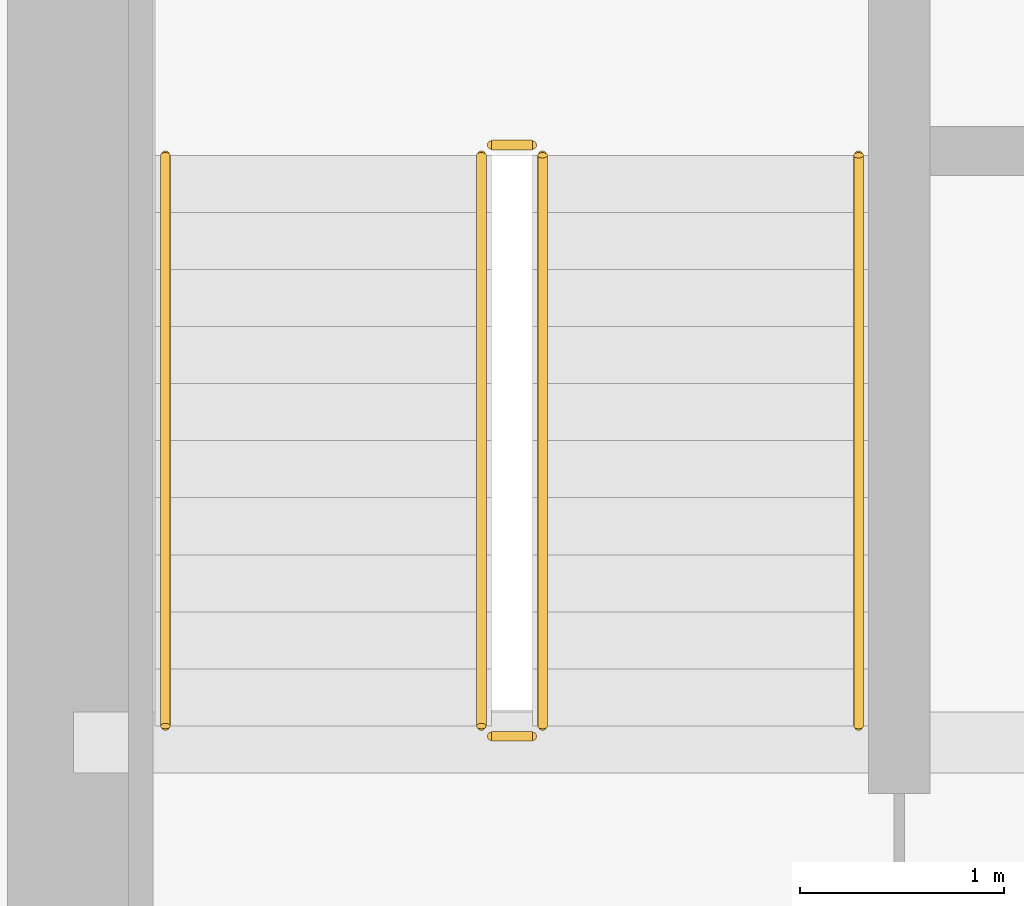
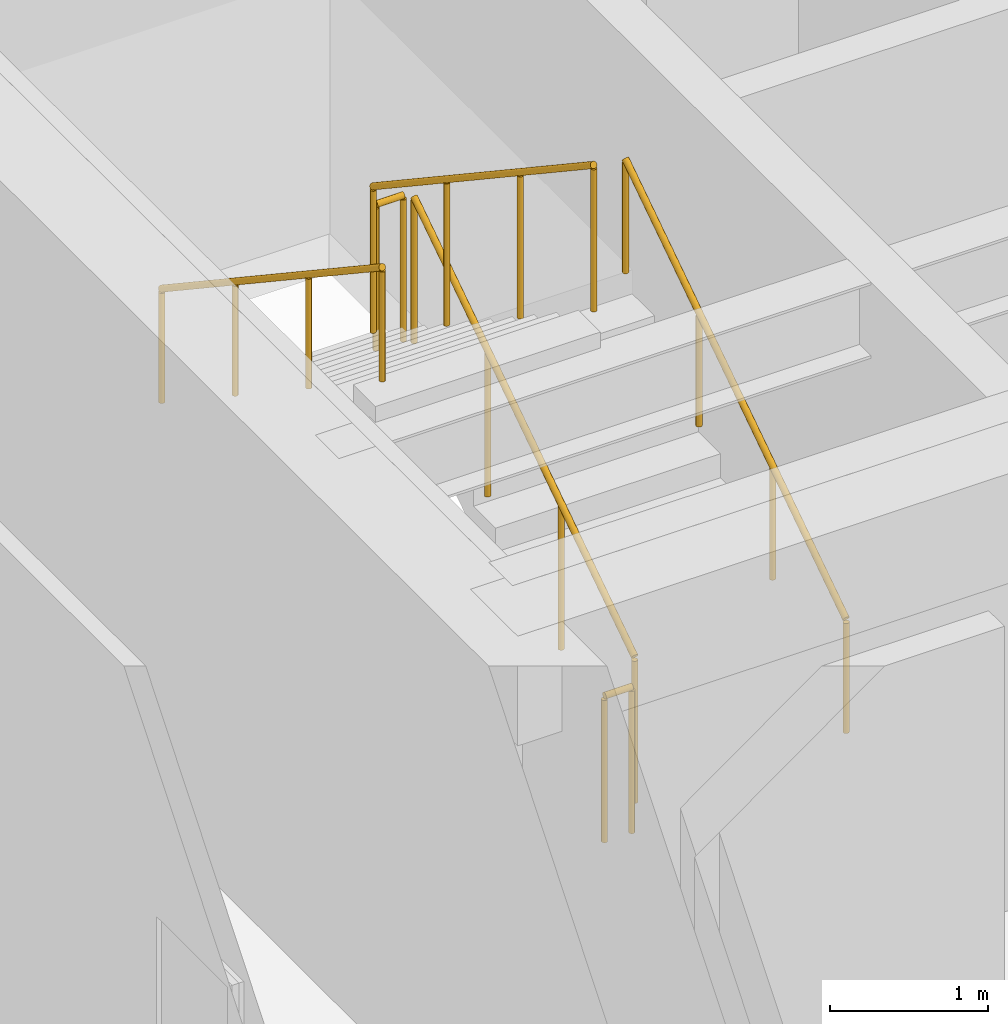
# One storey, part 29 of 30: 6 railings.
"""IFC4 building model written with IfcOpenShell, lengths in metres."""

from ifc_helpers import new_model, si_unit, direction, frame, origin, origin_2d, place, context, subcontext, project, spatial, circle, extrude, source, transform, mapped, material, type_object, type_shapes, element, save


model = new_model("IFC4")

# Units and contexts
model_context = context("Model", 3, precision=1e-05, world=origin(), true_north=direction((0.0, 1.0)))
body_context = subcontext(model_context, "Body", "Model", "MODEL_VIEW")
ifc_project = project(units=[si_unit("LENGTHUNIT", "METRE"), si_unit("AREAUNIT", "SQUARE_METRE"), si_unit("VOLUMEUNIT", "CUBIC_METRE"), si_unit("PLANEANGLEUNIT", "RADIAN"), si_unit("MASSUNIT", "GRAM", prefix="KILO")], contexts=[model_context])

# Site, building, storey
site_placement = place(None, origin())
site = spatial("IfcSite", under=ifc_project, at=site_placement, CompositionType="ELEMENT")
building_placement = place(site_placement, origin())
building = spatial("IfcBuilding", under=site, at=building_placement, Name="Haelvirn Gate Laboratories", CompositionType="ELEMENT")
storey_placement = place(building_placement, frame((0.0, 0.0, 183.0)))
storey = spatial("IfcBuildingStorey", under=building, at=storey_placement, Name="L44", CompositionType="ELEMENT", Elevation=183.0)

# Railings
ifc_material_1 = material(Name="Galvanised steel SM355 & stainless top rail", Category="steel")
railing_type_1 = type_object("IfcRailingType", Name="RL-GUARD-1150", PredefinedType="GUARDRAIL", material=ifc_material_1)
shared_shape_1 = source(origin(), body_context, "Body", "SweptSolid", [
    extrude(circle(Radius=0.02392578125, at=origin_2d()), frame((0.0, 0.0, 1.1259765625), z_axis=(-1.0, 0.0, 0.0), x_axis=(0.0, -1.0, 0.0)), (0.0, 0.0, 1.0), 0.199951171875),
    extrude(circle(Radius=0.02099609375, at=origin_2d()), origin(), (0.0, 0.0, 1.0), 1.101806640625),
    extrude(circle(Radius=0.02099609375, at=origin_2d()), frame((-0.199951171875, 0.0, 0.0)), (0.0, 0.0, 1.0), 1.101806640625),
])
for number, where, name in (
    (1, (9.64990234375, 29.550048828125, 2.050048828125), "L44 ST1 stair guard 2"),
    (2, (9.64990234375, 26.64990234375, 0.0), "L44 ST1 stair guard 4"),
):
    element("IfcRailing", number, at=place(storey_placement, frame(where)), inside=storey, type_object=railing_type_1, Name=name, PredefinedType="GUARDRAIL", context=body_context, shape_type="MappedRepresentation", body=[
        mapped(shared_shape_1, transform((0.0, 0.0, 0.0), scale=1.0)),
    ])
shared_shape_2 = source(origin(), body_context, "Body", "SweptSolid", [
    extrude(circle(Radius=0.02392578125, at=origin_2d()), frame((0.0, 0.0, 1.1259765625), z_axis=(0.0, -0.832452072856, 0.554097055034), x_axis=(1.0, 0.0, 0.0)), (0.0, 0.0, 1.0), 3.363525390625),
    extrude(circle(Radius=0.02099609375, at=origin_2d()), origin(), (0.0, 0.0, 1.0), 1.101806640625),
    extrude(circle(Radius=0.02099609375, at=origin_2d()), frame((0.0, -0.933349609375, 0.621337890625)), (0.0, 0.0, 1.0), 1.101806640625),
    extrude(circle(Radius=0.02099609375, at=origin_2d()), frame((0.0, -1.86669921875, 1.242431640625)), (0.0, 0.0, 1.0), 1.101806640625),
    extrude(circle(Radius=0.02099609375, at=origin_2d()), frame((0.0, -2.800048828125, 1.86376953125)), (0.0, 0.0, 1.0), 1.101806640625),
])
railing_1_placement = place(storey_placement, frame((9.39990234375, 29.5, 2.236328125)))
element("IfcRailing", 3, at=railing_1_placement, inside=storey, type_object=railing_type_1, Name="L44 ST1 stair guard 3", PredefinedType="GUARDRAIL", context=body_context, shape_type="MappedRepresentation", body=[
    mapped(shared_shape_2, transform((0.0, 0.0, 0.0), scale=1.0)),
])
ifc_material_2 = material(Name="Brushed stainless steel 316L", Category="steel")
railing_type_2 = type_object("IfcRailingType", Name="RL-HAND-920", PredefinedType="HANDRAIL", material=ifc_material_2)
shared_shape_3 = source(origin(), body_context, "Body", "SweptSolid", [
    extrude(circle(Radius=0.02392578125, at=origin_2d()), frame((0.0, 0.0, 0.8759765625), z_axis=(0.0, -0.832452072856, 0.554097055034), x_axis=(1.0, 0.0, 0.0)), (0.0, 0.0, 1.0), 3.363525390625),
    extrude(circle(Radius=0.02099609375, at=origin_2d()), origin(), (0.0, 0.0, 1.0), 0.851806640625),
    extrude(circle(Radius=0.02099609375, at=origin_2d()), frame((0.0, -0.933349609375, 0.621337890625)), (0.0, 0.0, 1.0), 0.851806640625),
    extrude(circle(Radius=0.02099609375, at=origin_2d()), frame((0.0, -1.86669921875, 1.242431640625)), (0.0, 0.0, 1.0), 0.851806640625),
    extrude(circle(Radius=0.02099609375, at=origin_2d()), frame((0.0, -2.800048828125, 1.86376953125)), (0.0, 0.0, 1.0), 0.851806640625),
])
railing_2_placement = place(storey_placement, frame((7.85009765625, 29.5, 2.236328125)))
element("IfcRailing", 4, at=railing_2_placement, inside=storey, type_object=railing_type_2, Name="L44 ST1 stair handrail 2", PredefinedType="HANDRAIL", context=body_context, shape_type="MappedRepresentation", body=[
    mapped(shared_shape_3, transform((0.0, 0.0, 0.0), scale=1.0)),
])
shared_shape_4 = source(origin(), body_context, "Body", "SweptSolid", [
    extrude(circle(Radius=0.02392578125, at=origin_2d()), frame((0.0, 0.0, 1.1259765625), z_axis=(0.0, 0.832452072856, 0.554097055034), x_axis=(-1.0, 0.0, 0.0)), (0.0, 0.0, 1.0), 3.363525390625),
    extrude(circle(Radius=0.02099609375, at=origin_2d()), origin(), (0.0, 0.0, 1.0), 1.101806640625),
    extrude(circle(Radius=0.02099609375, at=origin_2d()), frame((0.0, 0.933349609375, 0.621337890625)), (0.0, 0.0, 1.0), 1.101806640625),
    extrude(circle(Radius=0.02099609375, at=origin_2d()), frame((0.0, 1.86669921875, 1.242431640625)), (0.0, 0.0, 1.0), 1.101806640625),
    extrude(circle(Radius=0.02099609375, at=origin_2d()), frame((0.0, 2.800048828125, 1.86376953125)), (0.0, 0.0, 1.0), 1.101806640625),
])
type_shapes(railing_type_1, [shared_shape_1, shared_shape_2, shared_shape_4])
railing_3_placement = place(storey_placement, frame((9.699951171875, 26.699951171875, 0.186279296875)))
element("IfcRailing", 5, at=railing_3_placement, inside=storey, type_object=railing_type_1, Name="L44 ST1 stair guard 1", PredefinedType="GUARDRAIL", context=body_context, shape_type="MappedRepresentation", body=[
    mapped(shared_shape_4, transform((0.0, 0.0, 0.0), scale=1.0)),
])
shared_shape_5 = source(origin(), body_context, "Body", "SweptSolid", [
    extrude(circle(Radius=0.02392578125, at=origin_2d()), frame((0.0, 0.0, 0.8759765625), z_axis=(0.0, 0.832452072856, 0.554097055034), x_axis=(-1.0, 0.0, 0.0)), (0.0, 0.0, 1.0), 3.363525390625),
    extrude(circle(Radius=0.02099609375, at=origin_2d()), origin(), (0.0, 0.0, 1.0), 0.851806640625),
    extrude(circle(Radius=0.02099609375, at=origin_2d()), frame((0.0, 0.933349609375, 0.621337890625)), (0.0, 0.0, 1.0), 0.851806640625),
    extrude(circle(Radius=0.02099609375, at=origin_2d()), frame((0.0, 1.86669921875, 1.242431640625)), (0.0, 0.0, 1.0), 0.851806640625),
    extrude(circle(Radius=0.02099609375, at=origin_2d()), frame((0.0, 2.800048828125, 1.86376953125)), (0.0, 0.0, 1.0), 0.851806640625),
])
type_shapes(railing_type_2, [shared_shape_3, shared_shape_5])
railing_4_placement = place(storey_placement, frame((11.25, 26.699951171875, 0.186279296875)))
element("IfcRailing", 6, at=railing_4_placement, inside=storey, type_object=railing_type_2, Name="L44 ST1 stair handrail 1", PredefinedType="HANDRAIL", context=body_context, shape_type="MappedRepresentation", body=[
    mapped(shared_shape_5, transform((0.0, 0.0, 0.0), scale=1.0)),
])

save(model, "model.ifc")
